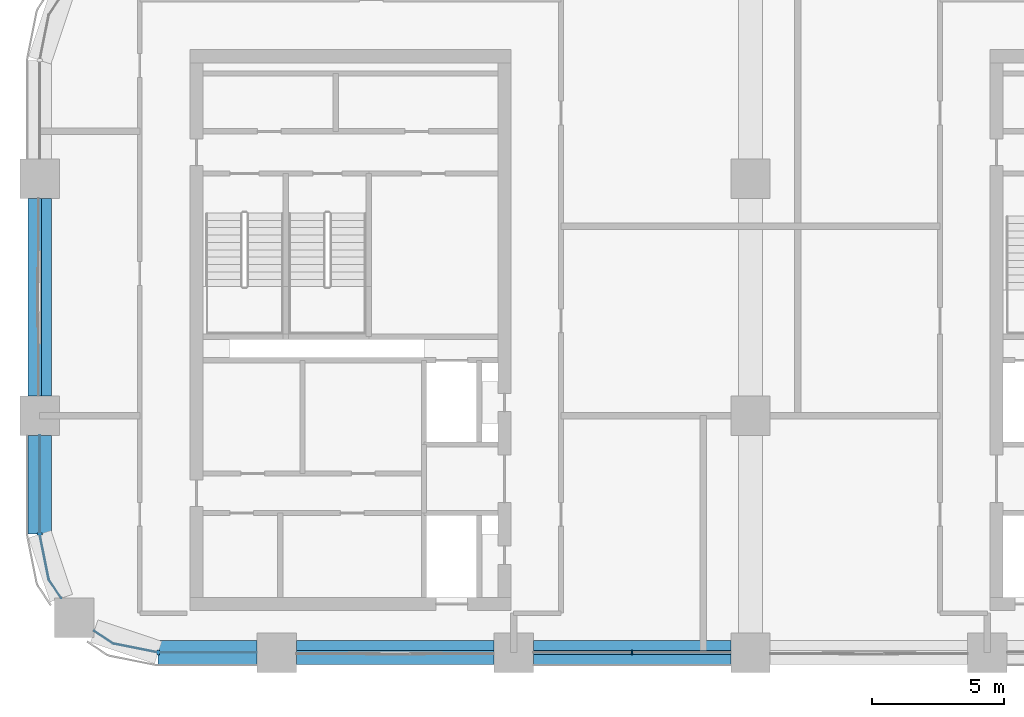
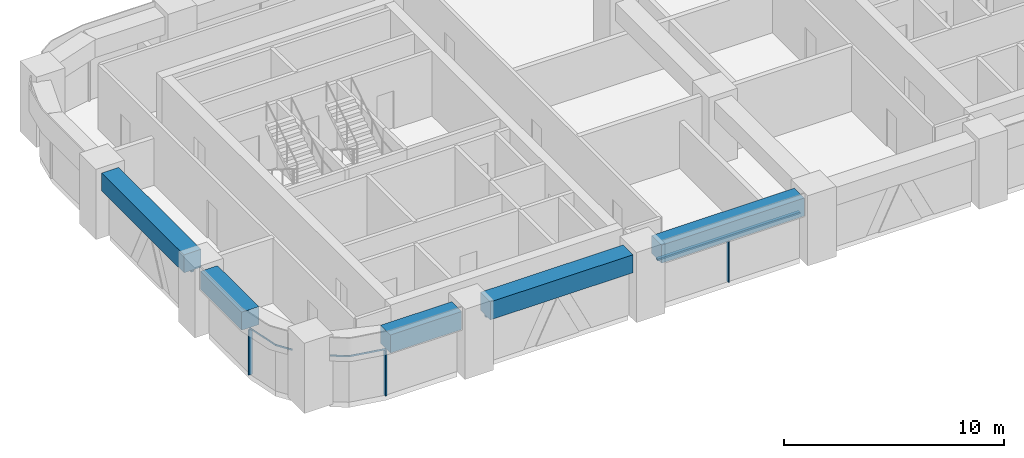
# One storey, part 2 of 18: 8 members, 5 beams, 5 elements without a shape of their own.
"""IFC4 building model written with IfcOpenShell, lengths in metres."""

from ifc_helpers import new_model, si_unit, direction, frame, origin, origin_2d, place, context, subcontext, project, spatial, polyline, rectangle, outline, extrude, material, material_profile, profile_set, type_object, element, aggregate, save


model = new_model("IFC4")

# Units and contexts
model_context = context("Model", 3, precision=1e-05, world=origin(), true_north=direction((0.0, 1.0)))
body_context = subcontext(model_context, "Body", "Model", "MODEL_VIEW")
ifc_project = project(units=[si_unit("LENGTHUNIT", "METRE"), si_unit("AREAUNIT", "SQUARE_METRE"), si_unit("VOLUMEUNIT", "CUBIC_METRE"), si_unit("PLANEANGLEUNIT", "RADIAN"), si_unit("MASSUNIT", "GRAM", prefix="KILO")], contexts=[model_context])

# Site, building, storey
site_placement = place(None, origin())
site = spatial("IfcSite", under=ifc_project, at=site_placement, CompositionType="ELEMENT")
building_placement = place(site_placement, origin())
building = spatial("IfcBuilding", under=site, at=building_placement, Name="Tessera Arch", CompositionType="ELEMENT")
storey_placement = place(building_placement, frame((0.0, 0.0, 185.60009765625)))
storey = spatial("IfcBuildingStorey", under=building, at=storey_placement, Name="L44", CompositionType="ELEMENT", Elevation=185.60009765625)

# Curtain wall, members
ifc_material_1 = material(Name="CW1 curtain wall")
curtain_wall_type_1 = type_object("IfcCurtainWallType", Name="CW1 curtain wall", PredefinedType="NOTDEFINED", material=ifc_material_1)
curtain_wall_1_placement = place(storey_placement, origin())
curtain_wall_1 = element("IfcCurtainWall", 1, at=curtain_wall_1_placement, inside=storey, type_object=curtain_wall_type_1, Name="CW1 curtain wall S27.0/2 L44", PredefinedType="NOTDEFINED")
ifc_material_2 = material(Name="Anodised aluminium pale metal", Category="aluminium")
ifc_material_profile_1 = material_profile(ifc_material_2, rectangle(XDim=0.159912109375, YDim=0.06005859375, at=origin_2d()), Name="AL 60x160")
ifc_profile_set_1 = profile_set([ifc_material_profile_1], Name="Anodised aluminium pale metal")
member_type_1 = type_object("IfcMemberType", Name="CW1 mullion", PredefinedType="MULLION", material=ifc_profile_set_1)
member_1_placement = place(storey_placement, frame((22.5, 27.0, 0.0), z_axis=(0.0, 0.0, 1.0), x_axis=(0.0, 1.0, 0.0)))
member_1 = element("IfcMember", 2, at=member_1_placement, type_object=member_type_1, Name="CW1 mullion S27.0/2 1", PredefinedType="MULLION", context=body_context, shape_type="SweptSolid", body=[
    extrude(rectangle(XDim=0.159912109375, YDim=0.06005859375, at=origin_2d()), origin(), (0.0, 0.0, 1.0), 2.5),
])
ifc_material_3 = material(Name="Anodised aluminium pale metal", Category="aluminium")
ifc_material_profile_2 = material_profile(ifc_material_3, rectangle(XDim=0.159912109375, YDim=0.10009765625, at=origin_2d()), Name="AL 160x100")
ifc_profile_set_2 = profile_set([ifc_material_profile_2], Name="Anodised aluminium pale metal")
member_type_2 = type_object("IfcMemberType", Name="CW1 transom", PredefinedType="USERDEFINED", material=ifc_profile_set_2)
member_2_placement = place(storey_placement, frame((18.75, 27.0, 2.5498046875), z_axis=(1.0, 0.0, 0.0), x_axis=(0.0, 1.0, 0.0)))
member_2 = element("IfcMember", 3, at=member_2_placement, type_object=member_type_2, Name="CW1 transom S27.0/2 1.1", ObjectType="TRANSOM", PredefinedType="USERDEFINED", context=body_context, shape_type="SweptSolid", body=[
    extrude(rectangle(XDim=0.159912109375, YDim=0.10009765625, at=origin_2d()), origin(), (0.0, 0.0, 1.0), 7.5),
])
aggregate(curtain_wall_1, [member_1, member_2])

# Curtain wall, member
ifc_material_4 = material(Name="CW2 curtain wall")
curtain_wall_type_2 = type_object("IfcCurtainWallType", Name="CW2 curtain wall", PredefinedType="NOTDEFINED", material=ifc_material_4)
curtain_wall_2_placement = place(storey_placement, origin())
curtain_wall_2 = element("IfcCurtainWall", 4, at=curtain_wall_2_placement, inside=storey, type_object=curtain_wall_type_2, Name="CW2 curtain wall W0.27/2 L44", PredefinedType="NOTDEFINED")
ifc_material_5 = material(Name="Anodised aluminium pale metal", Category="aluminium")
ifc_material_profile_3 = material_profile(ifc_material_5, rectangle(XDim=0.199951171875, YDim=0.080078125, at=origin_2d()), Name="AL 80x200")
ifc_profile_set_3 = profile_set([ifc_material_profile_3], Name="Anodised aluminium pale metal")
member_type_3 = type_object("IfcMemberType", Name="CW2 mullion", PredefinedType="MULLION", material=ifc_profile_set_3)
member_3_placement = place(storey_placement, frame((0.0, 31.5, 0.0), z_axis=(0.0, 0.0, 1.0), x_axis=(1.0, 0.0, 0.0)))
member_3 = element("IfcMember", 5, at=member_3_placement, type_object=member_type_3, Name="CW2 mullion W0.27/2 1", PredefinedType="MULLION", context=body_context, shape_type="SweptSolid", body=[
    extrude(rectangle(XDim=0.199951171875, YDim=0.080078125, at=origin_2d()), origin(), (0.0, 0.0, 1.0), 2.5),
])

curtain_wall_3_placement = place(storey_placement, origin())
curtain_wall_3 = element("IfcCurtainWall", 6, at=curtain_wall_3_placement, inside=storey, type_object=curtain_wall_type_2, Name="CW2 curtain wall S27.0/0 L44", PredefinedType="NOTDEFINED")
member_4_placement = place(storey_placement, frame((4.5, 27.0, 0.0), z_axis=(0.0, 0.0, 1.0), x_axis=(0.0, 1.0, 0.0)))
member_4 = element("IfcMember", 7, at=member_4_placement, type_object=member_type_3, Name="CW2 mullion S27.0/0 1", PredefinedType="MULLION", context=body_context, shape_type="SweptSolid", body=[
    extrude(rectangle(XDim=0.199951171875, YDim=0.080078125, at=origin_2d()), origin(), (0.0, 0.0, 1.0), 2.5),
])

# Member
ifc_material_6 = material(Name="Anodised aluminium pale metal", Category="aluminium")
ifc_material_profile_4 = material_profile(ifc_material_6, rectangle(XDim=0.199951171875, YDim=0.10009765625, at=origin_2d()), Name="AL 200x100")
ifc_profile_set_4 = profile_set([ifc_material_profile_4], Name="Anodised aluminium pale metal")
member_type_4 = type_object("IfcMemberType", Name="CW2 transom", PredefinedType="USERDEFINED", material=ifc_profile_set_4)
member_5_placement = place(storey_placement, frame((0.0, 0.0, 2.5)))
member_5 = element("IfcMember", 8, at=member_5_placement, type_object=member_type_4, Name="CW2 transom W0.27/2 1", ObjectType="TRANSOM", PredefinedType="USERDEFINED", context=body_context, shape_type="SweptSolid", body=[
    extrude(outline(polyline([(0.010009765625, 31.5009765625), (0.010009765625, 35.25), (-0.010009765625, 35.25), (-0.010009765625, 31.4990234375), (0.3330078125, 29.77392578125), (0.80859375, 29.0625), (0.8251953125, 29.073486328125), (0.351806640625, 29.78173828125), (0.010009765625, 31.5009765625)])), origin(), (0.0, 0.0, 1.0), 0.099853515625),
])

aggregate(curtain_wall_2, [member_3, member_5])

member_6_placement = place(storey_placement, frame((0.0, 0.0, 2.5)))
member_6 = element("IfcMember", 9, at=member_6_placement, type_object=member_type_4, Name="CW2 transom S27.0/0 1", ObjectType="TRANSOM", PredefinedType="USERDEFINED", context=body_context, shape_type="SweptSolid", body=[
    extrude(outline(polyline([(2.78173828125, 27.351806640625), (2.073486328125, 27.8251953125), (2.0625, 27.80859375), (2.77392578125, 27.3330078125), (4.4990234375, 26.989990234375), (8.25, 26.989990234375), (8.25, 27.010009765625), (4.5009765625, 27.010009765625), (2.78173828125, 27.351806640625)])), origin(), (0.0, 0.0, 1.0), 0.099853515625),
])

aggregate(curtain_wall_3, [member_4, member_6])

# Curtain wall, member
ifc_material_7 = material(Name="CW3 curtain wall")
curtain_wall_type_3 = type_object("IfcCurtainWallType", Name="CW3 curtain wall", PredefinedType="NOTDEFINED", material=ifc_material_7)
curtain_wall_4_placement = place(storey_placement, origin())
curtain_wall_4 = element("IfcCurtainWall", 10, at=curtain_wall_4_placement, inside=storey, type_object=curtain_wall_type_3, Name="CW3 curtain wall W0.27/1 L44", PredefinedType="NOTDEFINED")
ifc_material_8 = material(Name="Anodised aluminium pale metal", Category="aluminium")
ifc_material_profile_5 = material_profile(ifc_material_8, rectangle(XDim=0.139892578125, YDim=0.10009765625, at=origin_2d()), Name="AL 140x100")
ifc_profile_set_5 = profile_set([ifc_material_profile_5], Name="Anodised aluminium pale metal")
member_type_5 = type_object("IfcMemberType", Name="CW3 transom", PredefinedType="USERDEFINED", material=ifc_profile_set_5)
member_7_placement = place(storey_placement, frame((0.0, 44.25, 2.5498046875), z_axis=(0.0, -1.0, 0.0), x_axis=(1.0, 0.0, 0.0)))
member_7 = element("IfcMember", 11, at=member_7_placement, type_object=member_type_5, Name="CW3 transom W0.27/1 1.1", ObjectType="TRANSOM", PredefinedType="USERDEFINED", context=body_context, shape_type="SweptSolid", body=[
    extrude(rectangle(XDim=0.139892578125, YDim=0.10009765625, at=origin_2d()), origin(), (0.0, 0.0, 1.0), 7.5),
])
aggregate(curtain_wall_4, [member_7])

curtain_wall_5_placement = place(storey_placement, origin())
curtain_wall_5 = element("IfcCurtainWall", 12, at=curtain_wall_5_placement, inside=storey, type_object=curtain_wall_type_3, Name="CW3 curtain wall S27.0/1 L44", PredefinedType="NOTDEFINED")
member_8_placement = place(storey_placement, frame((9.75, 27.0, 2.5498046875), z_axis=(1.0, 0.0, 0.0), x_axis=(0.0, 1.0, 0.0)))
member_8 = element("IfcMember", 13, at=member_8_placement, type_object=member_type_5, Name="CW3 transom S27.0/1 1.1", ObjectType="TRANSOM", PredefinedType="USERDEFINED", context=body_context, shape_type="SweptSolid", body=[
    extrude(rectangle(XDim=0.139892578125, YDim=0.10009765625, at=origin_2d()), origin(), (0.0, 0.0, 1.0), 7.5),
])
aggregate(curtain_wall_5, [member_8])

# Beams
ifc_material_9 = material(Name="Concrete C70/85", Category="concrete")
ifc_material_profile_6 = material_profile(ifc_material_9, rectangle(XDim=0.89990234375, YDim=1.0, at=origin_2d()), Name="RC spandrel beam 900 x 1000 Concrete C70/85")
ifc_profile_set_6 = profile_set([ifc_material_profile_6], Name="Concrete C70/85")
beam_type = type_object("IfcBeamType", Name="RC spandrel beam 900 x 1000 Concrete C70/85", PredefinedType="BEAM", material=ifc_profile_set_6)
beam_placement = place(storey_placement, frame((0.0, 44.25, 3.099853515625), z_axis=(0.0, -1.0, 0.0), x_axis=(1.0, 0.0, 0.0)))
element("IfcBeam", 14, at=beam_placement, inside=storey, type_object=beam_type, Name="Spandrel beam L44 W0.27/1", PredefinedType="BEAM", context=body_context, shape_type="SweptSolid", body=[
    extrude(rectangle(XDim=0.89990234375, YDim=1.0, at=origin_2d()), origin(), (0.0, 0.0, 1.0), 7.5),
])
for number, where, z_axis, x_axis, name in (
    (15, (0.0, 35.25, 3.099853515625), (0.0, -1.0, 0.0), (1.0, 0.0, 0.0), "Spandrel beam L44 W0.27/2.1"),
    (16, (4.5, 27.0, 3.099853515625), (1.0, 0.0, 0.0), (0.0, 1.0, 0.0), "Spandrel beam L44 S27.0/0.2"),
):
    element("IfcBeam", number, at=place(storey_placement, frame(where, z_axis=z_axis, x_axis=x_axis)), inside=storey, type_object=beam_type, Name=name, PredefinedType="BEAM", context=body_context, shape_type="SweptSolid", body=[
        extrude(rectangle(XDim=0.89990234375, YDim=1.0, at=origin_2d()), origin(), (0.0, 0.0, 1.0), 3.75),
    ])
for number, where, z_axis, x_axis, name in (
    (17, (9.75, 27.0, 3.099853515625), (1.0, 0.0, 0.0), (0.0, 1.0, 0.0), "Spandrel beam L44 S27.0/1"),
    (18, (18.75, 27.0, 3.099853515625), (1.0, 0.0, 0.0), (0.0, 1.0, 0.0), "Spandrel beam L44 S27.0/2"),
):
    element("IfcBeam", number, at=place(storey_placement, frame(where, z_axis=z_axis, x_axis=x_axis)), inside=storey, type_object=beam_type, Name=name, PredefinedType="BEAM", context=body_context, shape_type="SweptSolid", body=[
        extrude(rectangle(XDim=0.89990234375, YDim=1.0, at=origin_2d()), origin(), (0.0, 0.0, 1.0), 7.5),
    ])

save(model, "model.ifc")
